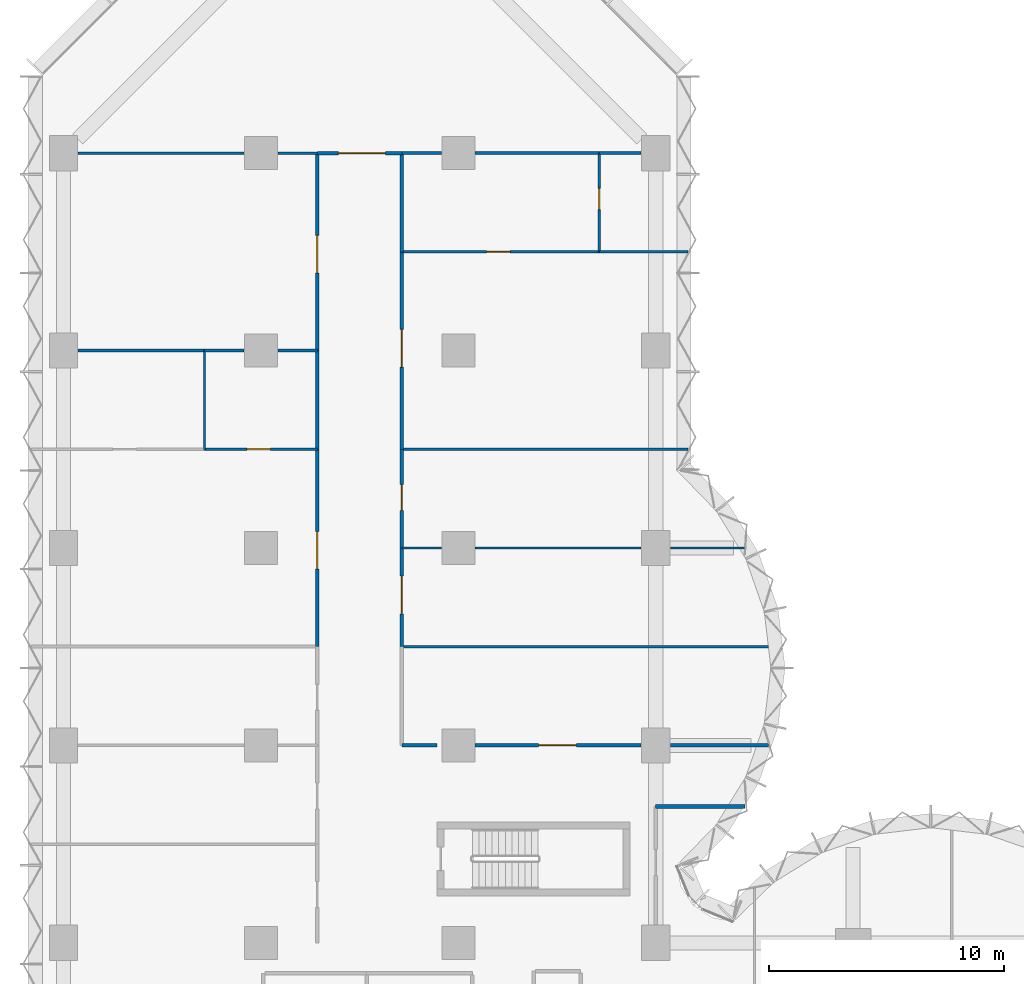
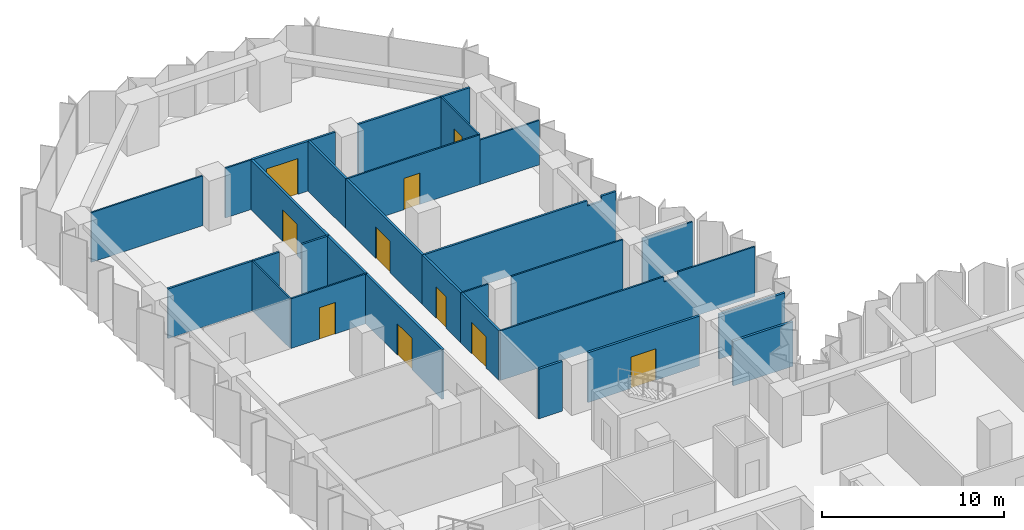
# One storey, part 11 of 15: 30 walls, 10 doors, 10 openings.
"""IFC4 building model written with IfcOpenShell, lengths in metres."""

import ifcopenshell
import ifcopenshell.guid

model = None  # the IFC model being written
_history = None  # IfcOwnerHistory: only IFC2X3 demands one
_inside = {}  # id of a spatial element -> (the spatial element, [elements in it])
_under = {}  # id of a project, library or spatial element -> (it, [spatial elements below it])
_declared = {}  # id of a project -> (the project, [libraries it declares])
_typed = {}  # id of a type object -> (the type object, [elements of that type])
_made_of = {}  # id of a material, layer set ... -> (it, [elements and type objects made of it])


def new_model(schema):
    """Start an empty IFC model of exactly this schema.

    Asked for "IFC4X3", IfcOpenShell would pick the latest addendum, in which some entities
    have other attributes; the version numbers below select the first issue.
    IFC2X3 requires an IfcOwnerHistory on every rooted entity: one is made here for all.
    """
    global model, _history
    if schema == "IFC4X3":
        model = ifcopenshell.file(schema_version=(4, 3, 0, 0))
    else:
        model = ifcopenshell.file(schema=schema)
    _inside.clear()
    _under.clear()
    _declared.clear()
    _typed.clear()
    _made_of.clear()
    _history = None
    if model.schema == "IFC2X3":
        org = make("IfcOrganization", Name="unknown")
        user = make(
            "IfcPersonAndOrganization",
            ThePerson=make("IfcPerson", FamilyName="unknown"),
            TheOrganization=org,
        )
        app = make(
            "IfcApplication",
            ApplicationDeveloper=org,
            Version="unknown",
            ApplicationFullName="unknown",
            ApplicationIdentifier="unknown",
        )
        _history = make(
            "IfcOwnerHistory",
            OwningUser=user,
            OwningApplication=app,
            ChangeAction="ADDED",
            CreationDate=0,
        )
    return model


def make(cls, **values):
    """One entity of the class cls with the attributes given. An attribute that is None is left unset."""
    return model.create_entity(
        cls, **{name: value for name, value in values.items() if value is not None}
    )


def rooted(cls, **values):
    """An entity with a GlobalId (a new one), such as an element, a storey or a relation."""
    return make(cls, GlobalId=ifcopenshell.guid.new(), OwnerHistory=_history, **values)


def si_unit(unit_type, name, prefix=None):
    """IfcSIUnit, for example si_unit("LENGTHUNIT", "METRE", prefix="MILLI")."""
    return make("IfcSIUnit", UnitType=unit_type, Prefix=prefix, Name=name)


def assignment(units):
    """IfcUnitAssignment: the units of a project."""
    return None if units is None else make("IfcUnitAssignment", Units=units)


def point(xyz):
    """IfcCartesianPoint."""
    return None if xyz is None else make("IfcCartesianPoint", Coordinates=xyz)


def direction(xyz):
    """IfcDirection."""
    return None if xyz is None else make("IfcDirection", DirectionRatios=xyz)


def frame(location, z_axis=None, x_axis=None):
    """IfcAxis2Placement3D, a coordinate frame: its origin and axes. An axis left out is left unset."""
    return make(
        "IfcAxis2Placement3D",
        Location=point(location),
        Axis=direction(z_axis),
        RefDirection=direction(x_axis),
    )


def frame_2d(location, x_axis=None):
    """IfcAxis2Placement2D, a coordinate frame in the plane: its origin and x axis."""
    return make(
        "IfcAxis2Placement2D", Location=point(location), RefDirection=direction(x_axis)
    )


def origin():
    """The frame at (0, 0, 0) with its axes left unset."""
    return frame((0.0, 0.0, 0.0))


def place(relative_to, where):
    """IfcLocalPlacement: puts the frame where relative to a parent placement (None: the world)."""
    return make(
        "IfcLocalPlacement", PlacementRelTo=relative_to, RelativePlacement=where
    )


def context(
    kind, dimensions, precision=None, world=None, true_north=None, identifier=None
):
    """IfcGeometricRepresentationContext, for example the 3D "Model" context."""
    return make(
        "IfcGeometricRepresentationContext",
        ContextIdentifier=identifier,
        ContextType=kind,
        CoordinateSpaceDimension=dimensions,
        Precision=precision,
        WorldCoordinateSystem=world,
        TrueNorth=true_north,
    )


def subcontext(parent, identifier, kind, view, scale=None):
    """IfcGeometricRepresentationSubContext, for example "Body" below "Model"."""
    return make(
        "IfcGeometricRepresentationSubContext",
        ContextIdentifier=identifier,
        ContextType=kind,
        ParentContext=parent,
        TargetScale=scale,
        TargetView=view,
    )


def project(units=None, contexts=None):
    """IfcProject with its units and contexts."""
    return rooted(
        "IfcProject",
        Name="project",
        RepresentationContexts=contexts,
        UnitsInContext=assignment(units),
    )


def spatial(cls, under=None, at=None, **own):
    """A site, building, storey or space (cls), placed at a placement, below another one or the project."""
    s = rooted(cls, ObjectPlacement=at, **own)
    if under is not None:
        _under.setdefault(under.id(), (under, []))[1].append(s)
    return s


def polyline(points):
    """IfcPolyline through the points."""
    return make("IfcPolyline", Points=[point(p) for p in points])


def profile(cls, at=None, kind="AREA", **sizes):
    """A parametric profile (cls). Its sizes go by their IFC names, for example OverallWidth=200.0."""
    return make(cls, ProfileType=kind, Position=at, **sizes)


def rectangle(**sizes):
    """IfcRectangleProfileDef."""
    return profile("IfcRectangleProfileDef", **sizes)


def outline(outer, holes=None, kind="AREA"):
    """IfcArbitraryClosedProfileDef: a profile drawn as a closed curve; with holes, ...WithVoids."""
    if holes is None:
        return make("IfcArbitraryClosedProfileDef", ProfileType=kind, OuterCurve=outer)
    return make(
        "IfcArbitraryProfileDefWithVoids",
        ProfileType=kind,
        OuterCurve=outer,
        InnerCurves=holes,
    )


def extrude(swept, where, along, depth):
    """IfcExtrudedAreaSolid: the profile swept, set in the frame where, extruded along a direction by depth."""
    return make(
        "IfcExtrudedAreaSolid",
        SweptArea=swept,
        Position=where,
        ExtrudedDirection=direction(along),
        Depth=depth,
    )


def shape(context_of_items, identifier, shape_type, items):
    """IfcShapeRepresentation: the items that make up one representation, for example the "Body"."""
    return make(
        "IfcShapeRepresentation",
        ContextOfItems=context_of_items,
        RepresentationIdentifier=identifier,
        RepresentationType=shape_type,
        Items=items,
    )


def material(Name=None, Category=None):
    """IfcMaterial."""
    return make("IfcMaterial", Name=Name, Category=Category)


def layer(
    of_material, thickness, ventilated=None, Name=None, Category=None, Priority=None
):
    """IfcMaterialLayer: one layer of a wall or slab, of a material (None: an air gap)."""
    return make(
        "IfcMaterialLayer",
        Material=of_material,
        LayerThickness=thickness,
        IsVentilated=ventilated,
        Name=Name,
        Category=Category,
        Priority=Priority,
    )


def layer_set(layers, Name=None):
    """IfcMaterialLayerSet."""
    return make("IfcMaterialLayerSet", MaterialLayers=layers, LayerSetName=Name)


def made_of(thing, what):
    """Note that an element or type object is made of a material, layer set ...; save() writes the relation."""
    if what is not None:
        _made_of.setdefault(what.id(), (what, []))[1].append(thing)
    return thing


def type_object(cls, material=None, **own):
    """A type object (cls), such as IfcWallType, which elements share."""
    return made_of(rooted(cls, **own), material)


def element(
    cls,
    number,
    at=None,
    inside=None,
    cuts=None,
    type_object=None,
    material=None,
    context=None,
    identifier="Body",
    shape_type=None,
    held_by="IfcProductDefinitionShape",
    body=None,
    shapes=None,
    **own,
):
    """One element of the class cls, such as IfcWall. Its Tag is "e" and its number.

    at: its placement. inside: the storey or other place that contains it. cuts: it is an
    opening in that element (IfcRelVoidsElement). A single representation is given by context,
    identifier, shape_type and body (its items); several are given by shapes. held_by: the class
    of the entity that holds the representations. save() writes the other relations.
    """
    e = rooted(cls, Tag="e%d" % number, ObjectPlacement=at, **own)
    if body is not None:
        shapes = [shape(context, identifier, shape_type, body)]
    if shapes is not None:
        e.Representation = make(held_by, Representations=shapes)
    if inside is not None:
        _inside.setdefault(inside.id(), (inside, []))[1].append(e)
    if cuts is not None:
        rooted(
            "IfcRelVoidsElement", RelatingBuildingElement=cuts, RelatedOpeningElement=e
        )
    if type_object is not None:
        _typed.setdefault(type_object.id(), (type_object, []))[1].append(e)
    return made_of(e, material)


def fill(opening, filler):
    """IfcRelFillsElement: the door or window that sits in an opening."""
    return rooted(
        "IfcRelFillsElement",
        RelatingOpeningElement=opening,
        RelatedBuildingElement=filler,
    )


def aggregate(whole, parts):
    """IfcRelAggregates: a whole, such as a stair, and the parts it consists of."""
    return rooted("IfcRelAggregates", RelatingObject=whole, RelatedObjects=parts)


def save(model, path):
    """Write the relations noted so far, then the file.

    IfcRelAggregates (storeys below a building ...), IfcRelContainedInSpatialStructure (elements
    in a storey), IfcRelDefinesByType, IfcRelAssociatesMaterial and IfcRelDeclares: one each for
    every whole, place, type object, material and project.
    """
    for whole, parts in _under.values():
        aggregate(whole, parts)
    for where, things in _inside.values():
        rooted(
            "IfcRelContainedInSpatialStructure",
            RelatedElements=things,
            RelatingStructure=where,
        )
    for kind, things in _typed.values():
        rooted("IfcRelDefinesByType", RelatedObjects=things, RelatingType=kind)
    for what, things in _made_of.values():
        rooted("IfcRelAssociatesMaterial", RelatedObjects=things, RelatingMaterial=what)
    for by, libraries in _declared.values():
        rooted("IfcRelDeclares", RelatingContext=by, RelatedDefinitions=libraries)
    model.write(path)


model = new_model("IFC4")

# Units and contexts
model_context = context("Model", 3, precision=1e-05, world=origin(), true_north=direction((0.0, 1.0)))
body_context = subcontext(model_context, "Body", "Model", "MODEL_VIEW")
ifc_project = project(units=[si_unit("LENGTHUNIT", "METRE"), si_unit("AREAUNIT", "SQUARE_METRE"), si_unit("VOLUMEUNIT", "CUBIC_METRE"), si_unit("PLANEANGLEUNIT", "RADIAN"), si_unit("MASSUNIT", "GRAM", prefix="KILO")], contexts=[model_context])

# Site, building, storey
site_placement = place(None, origin())
site = spatial("IfcSite", under=ifc_project, at=site_placement, CompositionType="ELEMENT")
building_placement = place(site_placement, origin())
building = spatial("IfcBuilding", under=site, at=building_placement, Name="Brevane Broadcast Tower", CompositionType="ELEMENT")
storey_placement = place(building_placement, frame((0.0, 0.0, 47.300048828125)))
storey = spatial("IfcBuildingStorey", under=building, at=storey_placement, Name="L09", CompositionType="ELEMENT", Elevation=47.300048828125)

# Walls
ifc_material_1 = material(Name="Gypsum board partition")
ifc_layer_1 = layer(ifc_material_1, 0.10009765625)
ifc_layer_set_1 = layer_set([ifc_layer_1], Name="PARTITION 100 STUD")
wall_type_1 = type_object("IfcWallType", Name="PARTITION 100 STUD", PredefinedType="PARTITIONING", material=ifc_layer_set_1)
wall_1_placement = place(storey_placement, frame((10.800048828125, 58.800048828125, 0.0), z_axis=(0.0, 0.0, 1.0), x_axis=(-1.0, 0.0, 0.0)))
element("IfcWall", 1, at=wall_1_placement, inside=storey, type_object=wall_type_1, Name="Partition G02-050", PredefinedType="PARTITIONING", context=body_context, shape_type="SweptSolid", body=[
    extrude(rectangle(XDim=1.679931640625, YDim=0.10009765625, at=frame_2d((0.83984375, 0.0))), origin(), (0.0, 0.0, 1.0), 3.329833984375),
])
wall_2_placement = place(storey_placement, frame((7.679931640625, 58.800048828125, 0.0), z_axis=(0.0, 0.0, 1.0), x_axis=(-1.0, 0.0, 0.0)))
element("IfcWall", 2, at=wall_2_placement, inside=storey, type_object=wall_type_1, Name="Partition G02-051", PredefinedType="PARTITIONING", context=body_context, shape_type="SweptSolid", body=[
    extrude(rectangle(XDim=7.059814453125, YDim=0.10009765625, at=frame_2d((3.52978515625, 0.0))), origin(), (0.0, 0.0, 1.0), 3.329833984375),
])

# Wall, opening, door
wall_3_placement = place(storey_placement, frame((6.0, 46.199951171875, 0.0), z_axis=(0.0, 0.0, 1.0), x_axis=(1.0, 0.0, 0.0)))
wall_3 = element("IfcWall", 3, at=wall_3_placement, inside=storey, type_object=wall_type_1, Name="Partition G02-060", PredefinedType="PARTITIONING", context=body_context, shape_type="SweptSolid", body=[
    extrude(rectangle(XDim=4.800048828125, YDim=0.10009765625, at=frame_2d((2.39990234375, 0.0))), origin(), (0.0, 0.0, 1.0), 3.329833984375),
])
opening_1_placement = place(wall_3_placement, frame((1.800048828125, 0.0, 0.0)))
opening_1 = element("IfcOpeningElement", 4, at=opening_1_placement, cuts=wall_3, Name="Opening D08-021", PredefinedType="OPENING", context=body_context, shape_type="SweptSolid", body=[
    extrude(rectangle(XDim=1.0, YDim=2.10009765625, at=frame_2d((0.5, 1.050048828125))), frame((0.0, 0.06005859375, 0.0), z_axis=(0.0, -1.0, 0.0), x_axis=(1.0, 0.0, 0.0)), (0.0, 0.0, 1.0), 0.1201171875),
])
ifc_material_2 = material(Name="Timber door leaf", Category="wood")
door_type_1 = type_object("IfcDoorType", Name="DOOR SINGLE 1000 INTERNAL", OperationType="SINGLE_SWING_LEFT", PredefinedType="DOOR", material=ifc_material_2)
door_1_placement = place(opening_1_placement, origin())
door_1 = element("IfcDoor", 5, at=door_1_placement, inside=storey, type_object=door_type_1, Name="Door D08-021", OperationType="SINGLE_SWING_LEFT", OverallHeight=2.10009765625, OverallWidth=1.0, PredefinedType="DOOR", context=body_context, shape_type="SweptSolid", body=[
    extrude(rectangle(XDim=1.0, YDim=2.10009765625, at=frame_2d((0.5, 1.050048828125))), frame((0.0, 0.02490234375, 0.0), z_axis=(0.0, -1.0, 0.0), x_axis=(1.0, 0.0, 0.0)), (0.0, 0.0, 1.0), 0.050048828125),
])
fill(opening_1, door_1)

# Walls
wall_4_placement = place(storey_placement, frame((6.0, 50.39990234375, 0.0), z_axis=(0.0, 0.0, 1.0), x_axis=(0.0, -1.0, 0.0)))
element("IfcWall", 6, at=wall_4_placement, inside=storey, type_object=wall_type_1, Name="Partition G02-061", PredefinedType="PARTITIONING", context=body_context, shape_type="SweptSolid", body=[
    extrude(rectangle(XDim=4.199951171875, YDim=0.10009765625, at=frame_2d((2.10009765625, 0.0))), origin(), (0.0, 0.0, 1.0), 3.329833984375),
])
wall_5_placement = place(storey_placement, frame((14.39990234375, 37.800048828125, 0.0), z_axis=(0.0, 0.0, 1.0), x_axis=(1.0, 0.0, 0.0)))
element("IfcWall", 7, at=wall_5_placement, inside=storey, type_object=wall_type_1, Name="Partition G02-065", PredefinedType="PARTITIONING", context=body_context, shape_type="SweptSolid", body=[
    extrude(outline(polyline([(0.0, 0.0), (16.1259765625, 0.0), (16.1259765625, 3.329833984375), (15.8427734375, 3.329833984375), (11.25, 3.329833984375), (11.248046875, 2.97998046875), (10.35205078125, 2.97998046875), (10.35009765625, 3.329833984375), (0.0, 3.329833984375), (0.0, 0.0)])), frame((0.0, 0.050048828125, 0.0), z_axis=(0.0, -1.0, 0.0), x_axis=(1.0, 0.0, 0.0)), (0.0, 0.0, 1.0), 0.10009765625),
])
wall_6_placement = place(storey_placement, frame((14.39990234375, 42.0, 0.0), z_axis=(0.0, 0.0, 1.0), x_axis=(1.0, 0.0, 0.0)))
element("IfcWall", 8, at=wall_6_placement, inside=storey, type_object=wall_type_1, Name="Partition G02-066", PredefinedType="PARTITIONING", context=body_context, shape_type="SweptSolid", body=[
    extrude(rectangle(XDim=1.68017578125, YDim=0.10009765625, at=frame_2d((0.840087890625, 0.0))), origin(), (0.0, 0.0, 1.0), 3.329833984375),
])
wall_7_placement = place(storey_placement, frame((17.52001953125, 42.0, 0.0), z_axis=(0.0, 0.0, 1.0), x_axis=(1.0, 0.0, 0.0)))
element("IfcWall", 9, at=wall_7_placement, inside=storey, type_object=wall_type_1, Name="Partition G02-067", PredefinedType="PARTITIONING", context=body_context, shape_type="SweptSolid", body=[
    extrude(rectangle(XDim=7.06005859375, YDim=0.10009765625, at=frame_2d((3.530029296875, 0.0))), origin(), (0.0, 0.0, 1.0), 3.329833984375),
])
wall_8_placement = place(storey_placement, frame((25.820068359375, 42.0, 0.0), z_axis=(0.0, 0.0, 1.0), x_axis=(1.0, 0.0, 0.0)))
element("IfcWall", 10, at=wall_8_placement, inside=storey, type_object=wall_type_1, Name="Partition G02-068", PredefinedType="PARTITIONING", context=body_context, shape_type="SweptSolid", body=[
    extrude(rectangle(XDim=3.19140625, YDim=0.10009765625, at=frame_2d((1.595703125, 0.0))), origin(), (0.0, 0.0, 1.0), 2.97998046875),
])

# Wall, opening, door
wall_9_placement = place(storey_placement, frame((14.39990234375, 54.60009765625, 0.0), z_axis=(0.0, 0.0, 1.0), x_axis=(1.0, 0.0, 0.0)))
wall_9 = element("IfcWall", 11, at=wall_9_placement, inside=storey, type_object=wall_type_1, Name="Partition G02-070", PredefinedType="PARTITIONING", context=body_context, shape_type="SweptSolid", body=[
    extrude(rectangle(XDim=8.400146484375, YDim=0.10009765625, at=frame_2d((4.2001953125, 0.0))), origin(), (0.0, 0.0, 1.0), 3.329833984375),
])
opening_2_placement = place(wall_9_placement, frame((3.60009765625, 0.0, 0.0)))
opening_2 = element("IfcOpeningElement", 12, at=opening_2_placement, cuts=wall_9, Name="Opening D08-027", PredefinedType="OPENING", context=body_context, shape_type="SweptSolid", body=[
    extrude(rectangle(XDim=1.0, YDim=2.10009765625, at=frame_2d((0.5, 1.050048828125))), frame((0.0, 0.06005859375, 0.0), z_axis=(0.0, -1.0, 0.0), x_axis=(1.0, 0.0, 0.0)), (0.0, 0.0, 1.0), 0.1201171875),
])
door_2_placement = place(opening_2_placement, origin())
door_2 = element("IfcDoor", 13, at=door_2_placement, inside=storey, type_object=door_type_1, Name="Door D08-027", OperationType="SINGLE_SWING_LEFT", OverallHeight=2.10009765625, OverallWidth=1.0, PredefinedType="DOOR", context=body_context, shape_type="SweptSolid", body=[
    extrude(rectangle(XDim=1.0, YDim=2.10009765625, at=frame_2d((0.5, 1.050048828125))), frame((0.0, 0.02490234375, 0.0), z_axis=(0.0, -1.0, 0.0), x_axis=(1.0, 0.0, 0.0)), (0.0, 0.0, 1.0), 0.050048828125),
])
fill(opening_2, door_2)

# Wall
wall_10_placement = place(storey_placement, frame((22.800048828125, 54.60009765625, 0.0), z_axis=(0.0, 0.0, 1.0), x_axis=(1.0, 0.0, 0.0)))
element("IfcWall", 14, at=wall_10_placement, inside=storey, type_object=wall_type_1, Name="Partition G02-071", PredefinedType="PARTITIONING", context=body_context, shape_type="SweptSolid", body=[
    extrude(rectangle(XDim=3.764892578125, YDim=0.10009765625, at=frame_2d((1.88232421875, 0.0))), origin(), (0.0, 0.0, 1.0), 2.97998046875),
])

# Wall, opening, door
wall_11_placement = place(storey_placement, frame((22.800048828125, 58.800048828125, 0.0), z_axis=(0.0, 0.0, 1.0), x_axis=(0.0, -1.0, 0.0)))
wall_11 = element("IfcWall", 15, at=wall_11_placement, inside=storey, type_object=wall_type_1, Name="Partition G02-072", PredefinedType="PARTITIONING", context=body_context, shape_type="SweptSolid", body=[
    extrude(rectangle(XDim=4.199951171875, YDim=0.10009765625, at=frame_2d((2.10009765625, 0.0))), origin(), (0.0, 0.0, 1.0), 3.329833984375),
])
opening_3_placement = place(wall_11_placement, frame((1.5, 0.0, 0.0)))
opening_3 = element("IfcOpeningElement", 16, at=opening_3_placement, cuts=wall_11, Name="Opening D08-028", PredefinedType="OPENING", context=body_context, shape_type="SweptSolid", body=[
    extrude(rectangle(XDim=0.89990234375, YDim=2.10009765625, at=frame_2d((0.449951171875, 1.050048828125))), frame((0.0, 0.06005859375, 0.0), z_axis=(0.0, -1.0, 0.0), x_axis=(1.0, 0.0, 0.0)), (0.0, 0.0, 1.0), 0.1201171875),
])
door_type_2 = type_object("IfcDoorType", Name="DOOR SINGLE 900 INTERNAL", OperationType="SINGLE_SWING_LEFT", PredefinedType="DOOR", material=ifc_material_2)
door_3_placement = place(opening_3_placement, origin())
door_3 = element("IfcDoor", 17, at=door_3_placement, inside=storey, type_object=door_type_2, Name="Door D08-028", OperationType="SINGLE_SWING_LEFT", OverallHeight=2.10009765625, OverallWidth=0.89990234375, PredefinedType="DOOR", context=body_context, shape_type="SweptSolid", body=[
    extrude(rectangle(XDim=0.89990234375, YDim=2.10009765625, at=frame_2d((0.449951171875, 1.050048828125))), frame((0.0, 0.02490234375, 0.0), z_axis=(0.0, -1.0, 0.0), x_axis=(1.0, 0.0, 0.0)), (0.0, 0.0, 1.0), 0.050048828125),
])
fill(opening_3, door_3)

# Walls
ifc_layer_2 = layer(ifc_material_1, 0.125)
ifc_layer_set_2 = layer_set([ifc_layer_2], Name="PARTITION 125 ACOUSTIC")
wall_type_2 = type_object("IfcWallType", Name="PARTITION 125 ACOUSTIC", PredefinedType="PARTITIONING", material=ifc_layer_set_2)
wall_12_placement = place(storey_placement, frame((22.800048828125, 58.800048828125, 0.0), z_axis=(0.0, 0.0, 1.0), x_axis=(-1.0, 0.0, 0.0)))
element("IfcWall", 18, at=wall_12_placement, inside=storey, type_object=wall_type_2, Name="Partition G02-052", PredefinedType="PARTITIONING", context=body_context, shape_type="SweptSolid", body=[
    extrude(rectangle(XDim=5.280029296875, YDim=0.125, at=frame_2d((2.64013671875, 0.0))), origin(), (0.0, 0.0, 1.0), 3.329833984375),
])
wall_13_placement = place(storey_placement, frame((16.080078125, 58.800048828125, 0.0), z_axis=(0.0, 0.0, 1.0), x_axis=(-1.0, 0.0, 0.0)))
element("IfcWall", 19, at=wall_13_placement, inside=storey, type_object=wall_type_2, Name="Partition G02-053", PredefinedType="PARTITIONING", context=body_context, shape_type="SweptSolid", body=[
    extrude(rectangle(XDim=1.68017578125, YDim=0.125, at=frame_2d((0.840087890625, 0.0))), origin(), (0.0, 0.0, 1.0), 3.329833984375),
])
wall_14_placement = place(storey_placement, frame((24.580078125, 58.800048828125, 0.0), z_axis=(0.0, 0.0, 1.0), x_axis=(-1.0, 0.0, 0.0)))
element("IfcWall", 20, at=wall_14_placement, inside=storey, type_object=wall_type_2, Name="Partition G02-054", PredefinedType="PARTITIONING", context=body_context, shape_type="SweptSolid", body=[
    extrude(rectangle(XDim=1.780029296875, YDim=0.125, at=frame_2d((0.89013671875, 0.0))), origin(), (0.0, 0.0, 1.0), 3.329833984375),
])
wall_15_placement = place(storey_placement, frame((0.6201171875, 50.39990234375, 0.0), z_axis=(0.0, 0.0, 1.0), x_axis=(1.0, 0.0, 0.0)))
element("IfcWall", 21, at=wall_15_placement, inside=storey, type_object=wall_type_2, Name="Partition G02-062", PredefinedType="PARTITIONING", context=body_context, shape_type="SweptSolid", body=[
    extrude(rectangle(XDim=5.3798828125, YDim=0.125, at=frame_2d((2.68994140625, 0.0))), origin(), (0.0, 0.0, 1.0), 3.329833984375),
])
for number, where, z_axis, x_axis, name in (
    (22, (6.0, 50.39990234375, 0.0), (0.0, 0.0, 1.0), (1.0, 0.0, 0.0), "Partition G02-063"),
    (23, (9.1201171875, 50.39990234375, 0.0), (0.0, 0.0, 1.0), (1.0, 0.0, 0.0), "Partition G02-064"),
):
    element("IfcWall", number, at=place(storey_placement, frame(where, z_axis=z_axis, x_axis=x_axis)), inside=storey, type_object=wall_type_2, Name=name, PredefinedType="PARTITIONING", context=body_context, shape_type="SweptSolid", body=[
        extrude(rectangle(XDim=1.679931640625, YDim=0.125, at=frame_2d((0.83984375, 0.0))), origin(), (0.0, 0.0, 1.0), 3.329833984375),
    ])
wall_16_placement = place(storey_placement, frame((14.39990234375, 46.199951171875, 0.0), z_axis=(0.0, 0.0, 1.0), x_axis=(1.0, 0.0, 0.0)))
element("IfcWall", 24, at=wall_16_placement, inside=storey, type_object=wall_type_2, Name="Partition G02-069", PredefinedType="PARTITIONING", context=body_context, shape_type="SweptSolid", body=[
    extrude(outline(polyline([(0.0, 0.0), (12.1650390625, 0.0), (12.1650390625, 3.329833984375), (11.89990234375, 3.329833984375), (11.25, 3.329833984375), (11.248046875, 2.97998046875), (10.35205078125, 2.97998046875), (10.35009765625, 3.329833984375), (0.0, 3.329833984375), (0.0, 0.0)])), frame((0.0, 0.0625, 0.0), z_axis=(0.0, -1.0, 0.0), x_axis=(1.0, 0.0, 0.0)), (0.0, 0.0, 1.0), 0.125),
])
ifc_layer_3 = layer(ifc_material_1, 0.14990234375)
ifc_layer_set_3 = layer_set([ifc_layer_3], Name="PARTITION 150 EI 60")
wall_type_3 = type_object("IfcWallType", Name="PARTITION 150 EI 60", PredefinedType="PARTITIONING", material=ifc_layer_set_3)
wall_17_placement = place(storey_placement, frame((25.199951171875, 31.0, 0.0), z_axis=(0.0, 0.0, 1.0), x_axis=(1.0, 0.0, 0.0)))
element("IfcWall", 25, at=wall_17_placement, inside=storey, type_object=wall_type_3, Name="Partition G02-006", PredefinedType="PARTITIONING", context=body_context, shape_type="SweptSolid", body=[
    extrude(rectangle(XDim=3.80615234375, YDim=0.14990234375, at=frame_2d((1.903076171875, 0.0))), origin(), (0.0, 0.0, 1.0), 2.97998046875),
])
wall_18_placement = place(storey_placement, frame((14.39990234375, 33.60009765625, 0.0), z_axis=(0.0, 0.0, 1.0), x_axis=(1.0, 0.0, 0.0)))
element("IfcWall", 26, at=wall_18_placement, inside=storey, type_object=wall_type_3, Name="Partition G02-037", PredefinedType="PARTITIONING", context=body_context, shape_type="SweptSolid", body=[
    extrude(rectangle(XDim=1.5, YDim=0.14990234375, at=frame_2d((0.75, 0.0))), origin(), (0.0, 0.0, 1.0), 3.329833984375),
])

# Wall, opening, door
wall_19_placement = place(storey_placement, frame((17.52001953125, 33.60009765625, 0.0), z_axis=(0.0, 0.0, 1.0), x_axis=(1.0, 0.0, 0.0)))
wall_19 = element("IfcWall", 27, at=wall_19_placement, inside=storey, type_object=wall_type_3, Name="Partition G02-038", PredefinedType="PARTITIONING", context=body_context, shape_type="SweptSolid", body=[
    extrude(rectangle(XDim=7.06005859375, YDim=0.14990234375, at=frame_2d((3.530029296875, 0.0))), origin(), (0.0, 0.0, 1.0), 3.329833984375),
])
opening_4_placement = place(wall_19_placement, frame((2.699951171875, 0.0, 0.0)))
opening_4 = element("IfcOpeningElement", 28, at=opening_4_placement, cuts=wall_19, Name="Opening D08-023", PredefinedType="OPENING", context=body_context, shape_type="SweptSolid", body=[
    extrude(rectangle(XDim=1.60009765625, YDim=2.10009765625, at=frame_2d((0.800048828125, 1.050048828125))), frame((0.0, 0.0849609375, 0.0), z_axis=(0.0, -1.0, 0.0), x_axis=(1.0, 0.0, 0.0)), (0.0, 0.0, 1.0), 0.169921875),
])
ifc_material_3 = material(Name="Fire-rated timber door leaf", Category="wood")
door_type_3 = type_object("IfcDoorType", Name="DOOR DOUBLE 1600 FD30S", OperationType="DOUBLE_DOOR_SINGLE_SWING", PredefinedType="DOOR", material=ifc_material_3)
door_4_placement = place(opening_4_placement, origin())
door_4 = element("IfcDoor", 29, at=door_4_placement, inside=storey, type_object=door_type_3, Name="Door D08-023", OperationType="DOUBLE_DOOR_SINGLE_SWING", OverallHeight=2.10009765625, OverallWidth=1.60009765625, PredefinedType="DOOR", context=body_context, shape_type="SweptSolid", body=[
    extrude(rectangle(XDim=1.60009765625, YDim=2.10009765625, at=frame_2d((0.800048828125, 1.050048828125))), frame((0.0, 0.02490234375, 0.0), z_axis=(0.0, -1.0, 0.0), x_axis=(1.0, 0.0, 0.0)), (0.0, 0.0, 1.0), 0.050048828125),
])
fill(opening_4, door_4)

# Wall
wall_20_placement = place(storey_placement, frame((25.820068359375, 33.60009765625, 0.0), z_axis=(0.0, 0.0, 1.0), x_axis=(1.0, 0.0, 0.0)))
element("IfcWall", 30, at=wall_20_placement, inside=storey, type_object=wall_type_3, Name="Partition G02-039", PredefinedType="PARTITIONING", context=body_context, shape_type="SweptSolid", body=[
    extrude(rectangle(XDim=4.168212890625, YDim=0.14990234375, at=frame_2d((2.083984375, 0.0))), origin(), (0.0, 0.0, 1.0), 2.97998046875),
])

# Wall, opening, door
wall_21_placement = place(storey_placement, frame((10.800048828125, 58.800048828125, 0.0), z_axis=(0.0, 0.0, 1.0), x_axis=(1.0, 0.0, 0.0)))
wall_21 = element("IfcWall", 31, at=wall_21_placement, inside=storey, type_object=wall_type_3, Name="Partition G02-040", PredefinedType="PARTITIONING", context=body_context, shape_type="SweptSolid", body=[
    extrude(rectangle(XDim=3.599853515625, YDim=0.14990234375, at=frame_2d((1.7998046875, 0.0))), origin(), (0.0, 0.0, 1.0), 3.329833984375),
])
opening_5_placement = place(wall_21_placement, frame((0.89990234375, 0.0, 0.0)))
opening_5 = element("IfcOpeningElement", 32, at=opening_5_placement, cuts=wall_21, Name="Opening D08-015", PredefinedType="OPENING", context=body_context, shape_type="SweptSolid", body=[
    extrude(rectangle(XDim=2.0, YDim=2.39990234375, at=frame_2d((1.0, 1.199951171875))), frame((0.0, 0.0849609375, 0.0), z_axis=(0.0, -1.0, 0.0), x_axis=(1.0, 0.0, 0.0)), (0.0, 0.0, 1.0), 0.169921875),
])
door_type_4 = type_object("IfcDoorType", Name="DOOR DOUBLE 2000 FD30S", OperationType="DOUBLE_DOOR_SINGLE_SWING", PredefinedType="DOOR", material=ifc_material_3)
door_5_placement = place(opening_5_placement, origin())
door_5 = element("IfcDoor", 33, at=door_5_placement, inside=storey, type_object=door_type_4, Name="Door D08-015", OperationType="DOUBLE_DOOR_SINGLE_SWING", OverallHeight=2.39990234375, OverallWidth=2.0, PredefinedType="DOOR", context=body_context, shape_type="SweptSolid", body=[
    extrude(rectangle(XDim=2.0, YDim=2.39990234375, at=frame_2d((1.0, 1.199951171875))), frame((0.0, 0.02490234375, 0.0), z_axis=(0.0, -1.0, 0.0), x_axis=(1.0, 0.0, 0.0)), (0.0, 0.0, 1.0), 0.050048828125),
])
fill(opening_5, door_5)

wall_22_placement = place(storey_placement, frame((10.800048828125, 37.800048828125, 0.0), z_axis=(0.0, 0.0, 1.0), x_axis=(0.0, 1.0, 0.0)))
wall_22 = element("IfcWall", 34, at=wall_22_placement, inside=storey, type_object=wall_type_3, Name="Partition G02-042", PredefinedType="PARTITIONING", context=body_context, shape_type="SweptSolid", body=[
    extrude(rectangle(XDim=8.39990234375, YDim=0.14990234375, at=frame_2d((4.199951171875, 0.0))), origin(), (0.0, 0.0, 1.0), 3.329833984375),
])
opening_6_placement = place(wall_22_placement, frame((3.300048828125, 0.0, 0.0)))
opening_6 = element("IfcOpeningElement", 35, at=opening_6_placement, cuts=wall_22, Name="Opening D08-019", PredefinedType="OPENING", context=body_context, shape_type="SweptSolid", body=[
    extrude(rectangle(XDim=1.60009765625, YDim=2.10009765625, at=frame_2d((0.800048828125, 1.050048828125))), frame((0.0, 0.0849609375, 0.0), z_axis=(0.0, -1.0, 0.0), x_axis=(1.0, 0.0, 0.0)), (0.0, 0.0, 1.0), 0.169921875),
])
door_6_placement = place(opening_6_placement, origin())
door_6 = element("IfcDoor", 36, at=door_6_placement, inside=storey, type_object=door_type_3, Name="Door D08-019", OperationType="DOUBLE_DOOR_SINGLE_SWING", OverallHeight=2.10009765625, OverallWidth=1.60009765625, PredefinedType="DOOR", context=body_context, shape_type="SweptSolid", body=[
    extrude(rectangle(XDim=1.60009765625, YDim=2.10009765625, at=frame_2d((0.800048828125, 1.050048828125))), frame((0.0, 0.02490234375, 0.0), z_axis=(0.0, -1.0, 0.0), x_axis=(1.0, 0.0, 0.0)), (0.0, 0.0, 1.0), 0.050048828125),
])
fill(opening_6, door_6)

# Wall
wall_23_placement = place(storey_placement, frame((10.800048828125, 46.199951171875, 0.0), z_axis=(0.0, 0.0, 1.0), x_axis=(0.0, 1.0, 0.0)))
element("IfcWall", 37, at=wall_23_placement, inside=storey, type_object=wall_type_3, Name="Partition G02-043", PredefinedType="PARTITIONING", context=body_context, shape_type="SweptSolid", body=[
    extrude(rectangle(XDim=4.199951171875, YDim=0.14990234375, at=frame_2d((2.10009765625, 0.0))), origin(), (0.0, 0.0, 1.0), 3.329833984375),
])

# Wall, opening, door
wall_24_placement = place(storey_placement, frame((10.800048828125, 50.39990234375, 0.0), z_axis=(0.0, 0.0, 1.0), x_axis=(0.0, 1.0, 0.0)))
wall_24 = element("IfcWall", 38, at=wall_24_placement, inside=storey, type_object=wall_type_3, Name="Partition G02-044", PredefinedType="PARTITIONING", context=body_context, shape_type="SweptSolid", body=[
    extrude(rectangle(XDim=8.400146484375, YDim=0.14990234375, at=frame_2d((4.2001953125, 0.0))), origin(), (0.0, 0.0, 1.0), 3.329833984375),
])
opening_7_placement = place(wall_24_placement, frame((3.300048828125, 0.0, 0.0)))
opening_7 = element("IfcOpeningElement", 39, at=opening_7_placement, cuts=wall_24, Name="Opening D08-022", PredefinedType="OPENING", context=body_context, shape_type="SweptSolid", body=[
    extrude(rectangle(XDim=1.60009765625, YDim=2.10009765625, at=frame_2d((0.800048828125, 1.050048828125))), frame((0.0, 0.0849609375, 0.0), z_axis=(0.0, -1.0, 0.0), x_axis=(1.0, 0.0, 0.0)), (0.0, 0.0, 1.0), 0.169921875),
])
door_7_placement = place(opening_7_placement, origin())
door_7 = element("IfcDoor", 40, at=door_7_placement, inside=storey, type_object=door_type_3, Name="Door D08-022", OperationType="DOUBLE_DOOR_SINGLE_SWING", OverallHeight=2.10009765625, OverallWidth=1.60009765625, PredefinedType="DOOR", context=body_context, shape_type="SweptSolid", body=[
    extrude(rectangle(XDim=1.60009765625, YDim=2.10009765625, at=frame_2d((0.800048828125, 1.050048828125))), frame((0.0, 0.02490234375, 0.0), z_axis=(0.0, -1.0, 0.0), x_axis=(1.0, 0.0, 0.0)), (0.0, 0.0, 1.0), 0.050048828125),
])
fill(opening_7, door_7)

wall_25_placement = place(storey_placement, frame((14.39990234375, 42.0, 0.0), z_axis=(0.0, 0.0, 1.0), x_axis=(0.0, -1.0, 0.0)))
wall_25 = element("IfcWall", 41, at=wall_25_placement, inside=storey, type_object=wall_type_3, Name="Partition G02-046", PredefinedType="PARTITIONING", context=body_context, shape_type="SweptSolid", body=[
    extrude(rectangle(XDim=4.199951171875, YDim=0.14990234375, at=frame_2d((2.10009765625, 0.0))), origin(), (0.0, 0.0, 1.0), 3.329833984375),
])
opening_8_placement = place(wall_25_placement, frame((1.199951171875, 0.0, 0.0)))
opening_8 = element("IfcOpeningElement", 42, at=opening_8_placement, cuts=wall_25, Name="Opening D08-024", PredefinedType="OPENING", context=body_context, shape_type="SweptSolid", body=[
    extrude(rectangle(XDim=1.60009765625, YDim=2.10009765625, at=frame_2d((0.800048828125, 1.050048828125))), frame((0.0, 0.0849609375, 0.0), z_axis=(0.0, -1.0, 0.0), x_axis=(1.0, 0.0, 0.0)), (0.0, 0.0, 1.0), 0.169921875),
])
door_8_placement = place(opening_8_placement, origin())
door_8 = element("IfcDoor", 43, at=door_8_placement, inside=storey, type_object=door_type_3, Name="Door D08-024", OperationType="DOUBLE_DOOR_SINGLE_SWING", OverallHeight=2.10009765625, OverallWidth=1.60009765625, PredefinedType="DOOR", context=body_context, shape_type="SweptSolid", body=[
    extrude(rectangle(XDim=1.60009765625, YDim=2.10009765625, at=frame_2d((0.800048828125, 1.050048828125))), frame((0.0, 0.02490234375, 0.0), z_axis=(0.0, -1.0, 0.0), x_axis=(1.0, 0.0, 0.0)), (0.0, 0.0, 1.0), 0.050048828125),
])
fill(opening_8, door_8)

wall_26_placement = place(storey_placement, frame((14.39990234375, 46.199951171875, 0.0), z_axis=(0.0, 0.0, 1.0), x_axis=(0.0, -1.0, 0.0)))
wall_26 = element("IfcWall", 44, at=wall_26_placement, inside=storey, type_object=wall_type_3, Name="Partition G02-047", PredefinedType="PARTITIONING", context=body_context, shape_type="SweptSolid", body=[
    extrude(rectangle(XDim=4.199951171875, YDim=0.14990234375, at=frame_2d((2.10009765625, 0.0))), origin(), (0.0, 0.0, 1.0), 3.329833984375),
])
opening_9_placement = place(wall_26_placement, frame((1.5, 0.0, 0.0)))
opening_9 = element("IfcOpeningElement", 45, at=opening_9_placement, cuts=wall_26, Name="Opening D08-025", PredefinedType="OPENING", context=body_context, shape_type="SweptSolid", body=[
    extrude(rectangle(XDim=1.10009765625, YDim=2.10009765625, at=frame_2d((0.550048828125, 1.050048828125))), frame((0.0, 0.0849609375, 0.0), z_axis=(0.0, -1.0, 0.0), x_axis=(1.0, 0.0, 0.0)), (0.0, 0.0, 1.0), 0.169921875),
])
door_type_5 = type_object("IfcDoorType", Name="DOOR SINGLE 1100 FD30S", OperationType="SINGLE_SWING_LEFT", PredefinedType="DOOR", material=ifc_material_3)
door_9_placement = place(opening_9_placement, origin())
door_9 = element("IfcDoor", 46, at=door_9_placement, inside=storey, type_object=door_type_5, Name="Door D08-025", OperationType="SINGLE_SWING_LEFT", OverallHeight=2.10009765625, OverallWidth=1.10009765625, PredefinedType="DOOR", context=body_context, shape_type="SweptSolid", body=[
    extrude(rectangle(XDim=1.10009765625, YDim=2.10009765625, at=frame_2d((0.550048828125, 1.050048828125))), frame((0.0, 0.02490234375, 0.0), z_axis=(0.0, -1.0, 0.0), x_axis=(1.0, 0.0, 0.0)), (0.0, 0.0, 1.0), 0.050048828125),
])
fill(opening_9, door_9)

wall_27_placement = place(storey_placement, frame((14.39990234375, 54.60009765625, 0.0), z_axis=(0.0, 0.0, 1.0), x_axis=(0.0, -1.0, 0.0)))
wall_27 = element("IfcWall", 47, at=wall_27_placement, inside=storey, type_object=wall_type_3, Name="Partition G02-048", PredefinedType="PARTITIONING", context=body_context, shape_type="SweptSolid", body=[
    extrude(rectangle(XDim=8.400146484375, YDim=0.14990234375, at=frame_2d((4.2001953125, 0.0))), origin(), (0.0, 0.0, 1.0), 3.329833984375),
])
opening_10_placement = place(wall_27_placement, frame((3.300048828125, 0.0, 0.0)))
opening_10 = element("IfcOpeningElement", 48, at=opening_10_placement, cuts=wall_27, Name="Opening D08-026", PredefinedType="OPENING", context=body_context, shape_type="SweptSolid", body=[
    extrude(rectangle(XDim=1.60009765625, YDim=2.10009765625, at=frame_2d((0.800048828125, 1.050048828125))), frame((0.0, 0.0849609375, 0.0), z_axis=(0.0, -1.0, 0.0), x_axis=(1.0, 0.0, 0.0)), (0.0, 0.0, 1.0), 0.169921875),
])
door_10_placement = place(opening_10_placement, origin())
door_10 = element("IfcDoor", 49, at=door_10_placement, inside=storey, type_object=door_type_3, Name="Door D08-026", OperationType="DOUBLE_DOOR_SINGLE_SWING", OverallHeight=2.10009765625, OverallWidth=1.60009765625, PredefinedType="DOOR", context=body_context, shape_type="SweptSolid", body=[
    extrude(rectangle(XDim=1.60009765625, YDim=2.10009765625, at=frame_2d((0.800048828125, 1.050048828125))), frame((0.0, 0.02490234375, 0.0), z_axis=(0.0, -1.0, 0.0), x_axis=(1.0, 0.0, 0.0)), (0.0, 0.0, 1.0), 0.050048828125),
])
fill(opening_10, door_10)

# Wall
wall_28_placement = place(storey_placement, frame((14.39990234375, 58.800048828125, 0.0), z_axis=(0.0, 0.0, 1.0), x_axis=(0.0, -1.0, 0.0)))
element("IfcWall", 50, at=wall_28_placement, inside=storey, type_object=wall_type_3, Name="Partition G02-049", PredefinedType="PARTITIONING", context=body_context, shape_type="SweptSolid", body=[
    extrude(rectangle(XDim=4.199951171875, YDim=0.14990234375, at=frame_2d((2.10009765625, 0.0))), origin(), (0.0, 0.0, 1.0), 3.329833984375),
])

save(model, "model.ifc")
